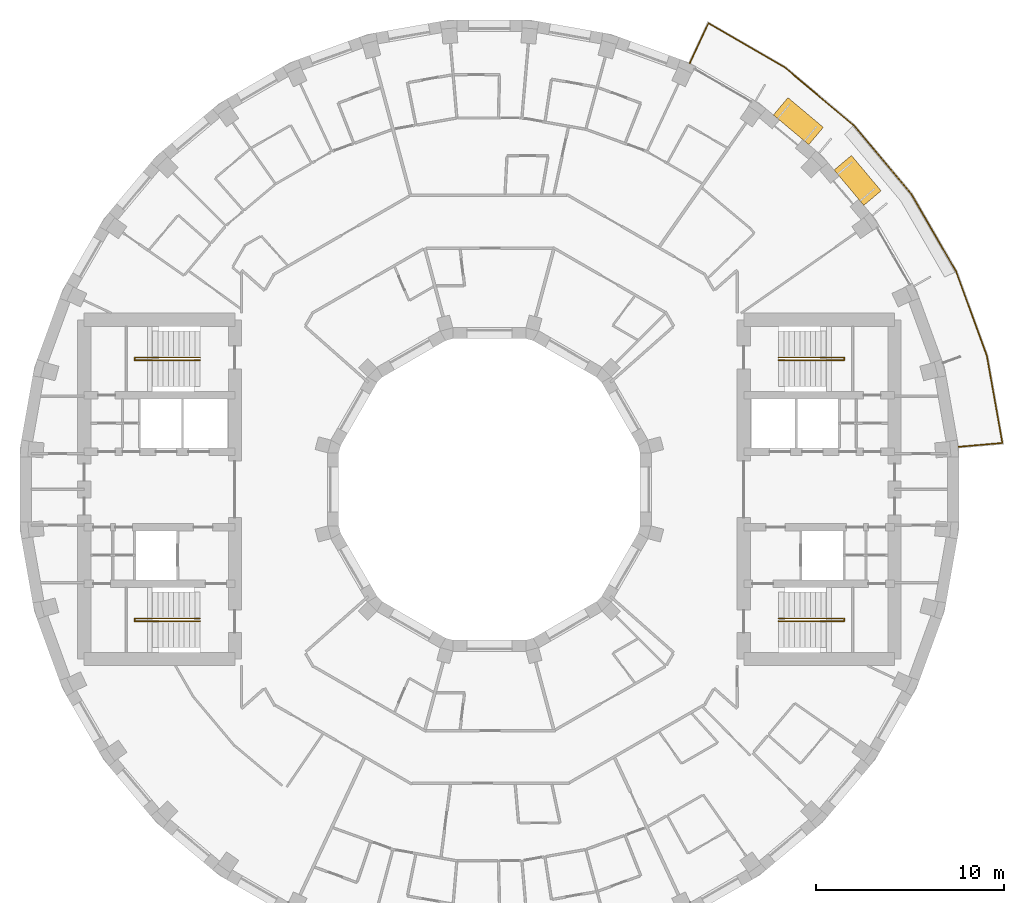
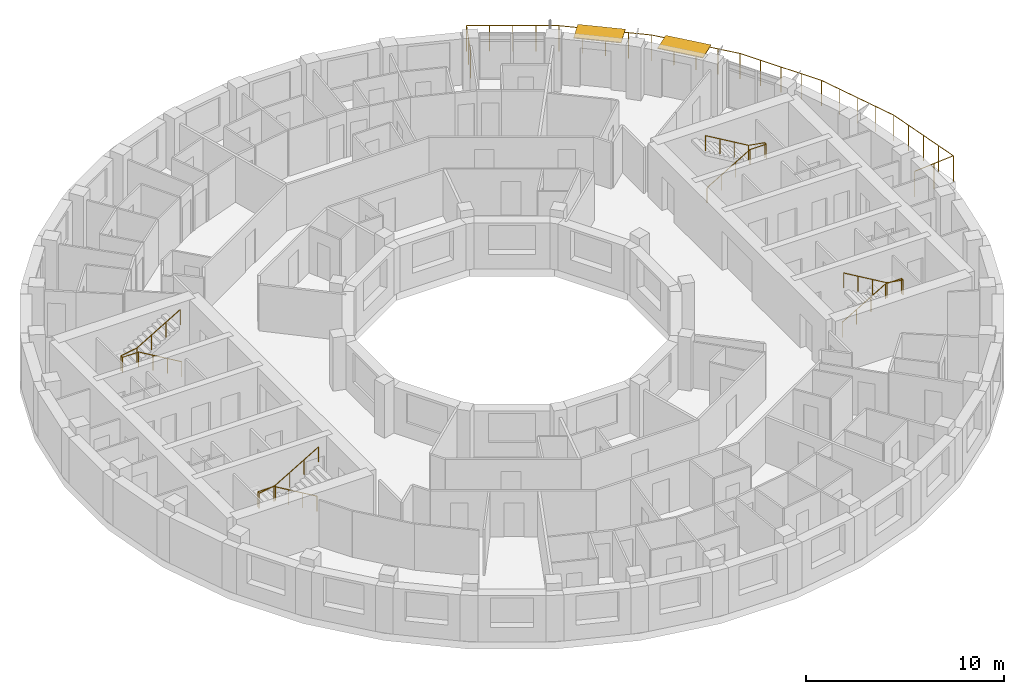
# One storey, part 15 of 15: 5 railings, 2 shading devices.
"""IFC4 building model written with IfcOpenShell, lengths in metres."""

from ifc_helpers import new_model, si_unit, direction, frame, origin, origin_2d, place, context, subcontext, project, spatial, rectangle, circle, extrude, material, layer, layer_set, type_object, element, save


model = new_model("IFC4")

# Units and contexts
model_context = context("Model", 3, precision=1e-05, world=origin(), true_north=direction((0.0, 1.0)))
body_context = subcontext(model_context, "Body", "Model", "MODEL_VIEW")
ifc_project = project(units=[si_unit("LENGTHUNIT", "METRE"), si_unit("AREAUNIT", "SQUARE_METRE"), si_unit("VOLUMEUNIT", "CUBIC_METRE"), si_unit("PLANEANGLEUNIT", "RADIAN"), si_unit("MASSUNIT", "GRAM", prefix="KILO")], contexts=[model_context])

# Site, building, storey
site_placement = place(None, origin())
site = spatial("IfcSite", under=ifc_project, at=site_placement, CompositionType="ELEMENT")
building_placement = place(site_placement, origin())
building = spatial("IfcBuilding", under=site, at=building_placement, Name="Saqina Gate Tower", CompositionType="ELEMENT")
storey_placement = place(building_placement, frame((0.0, 0.0, 193.800048828125)))
storey = spatial("IfcBuildingStorey", under=building, at=storey_placement, Name="L55", CompositionType="ELEMENT", Elevation=193.800048828125)

# Shading devices
ifc_material_1 = material(Name="Aluminium and fabric awning", Category="aluminium")
ifc_layer = layer(ifc_material_1, 0.050048828125)
ifc_layer_set = layer_set([ifc_layer], Name="AW-TERRACE")
shading_device_type = type_object("IfcShadingDeviceType", Name="AW-TERRACE", PredefinedType="AWNING", material=ifc_layer_set)
for number, where, z_axis, x_axis, name in (
    (1, (19.537841796875, 16.394287109375, 2.52490234375), (0.0, 0.0, 1.0), (-0.642787609687, 0.766044443119, 0.0), "Terrace awning L55 facet 4"),
    (2, (16.394287109375, 19.537841796875, 2.52490234375), (0.0, 0.0, 1.0), (-0.766044443119, 0.642787609687, 0.0), "Terrace awning L55 facet 5"),
):
    element("IfcShadingDevice", number, at=place(storey_placement, frame(where, z_axis=z_axis, x_axis=x_axis)), inside=storey, type_object=shading_device_type, Name=name, PredefinedType="AWNING", context=body_context, shape_type="SweptSolid", body=[
        extrude(rectangle(XDim=2.44970703125, YDim=1.199951171875, at=origin_2d()), origin(), (0.0, 0.0, 1.0), 0.050048828125),
    ])

# Railings
ifc_material_2 = material(Name="Stainless steel", Category="steel")
railing_type_1 = type_object("IfcRailingType", Name="RL-TERRACE", PredefinedType="GUARDRAIL", material=ifc_material_2)
railing_1_placement = place(storey_placement, frame((24.838134765625, 2.25341796875, 0.0)))
element("IfcRailing", 3, at=railing_1_placement, inside=storey, type_object=railing_type_1, Name="Terrace guard L55", PredefinedType="GUARDRAIL", context=body_context, shape_type="SweptSolid", body=[
    extrude(circle(Radius=0.02392578125, at=origin_2d()), frame((0.0, 0.0, 1.576171875), z_axis=(0.996193273779, 0.087172021187, 0.0), x_axis=(-0.087172021187, 0.996193273779, 0.0)), (0.0, 0.0, 1.0), 2.388916015625),
    extrude(circle(Radius=0.02392578125, at=origin_2d()), frame((2.3798828125, 0.208251953125, 1.576171875), z_axis=(-0.175132139837, 0.984544937317, 0.0), x_axis=(-0.984544937317, -0.175132139837, 0.0)), (0.0, 0.0, 1.0), 4.68408203125),
    extrude(circle(Radius=0.02392578125, at=origin_2d()), frame((1.5595703125, 4.81982421875, 1.576171875), z_axis=(-0.342031084868, 0.939688638318, 0.0), x_axis=(-0.939688638318, -0.342031084868, 0.0)), (0.0, 0.0, 1.0), 4.763916015625),
    extrude(circle(Radius=0.02392578125, at=origin_2d()), frame((-0.06982421875, 9.29638671875, 1.576171875), z_axis=(-0.499997507361, 0.866026842905, 0.0), x_axis=(-0.866026842905, -0.499997507361, 0.0)), (0.0, 0.0, 1.0), 4.763671875),
    extrude(circle(Radius=0.02392578125, at=origin_2d()), frame((-2.45166015625, 13.421875, 1.576171875), z_axis=(-0.642786942402, 0.766045003037, 0.0), x_axis=(-0.766045003037, -0.642786942402, 0.0)), (0.0, 0.0, 1.0), 4.763671875),
    extrude(circle(Radius=0.02392578125, at=origin_2d()), frame((-5.513671875, 17.071044921875, 1.576171875), z_axis=(-0.766045003037, 0.642786942402, 0.0), x_axis=(-0.642786942402, -0.766045003037, 0.0)), (0.0, 0.0, 1.0), 4.763671875),
    extrude(circle(Radius=0.02392578125, at=origin_2d()), frame((-9.162841796875, 20.133056640625, 1.576171875), z_axis=(-0.865270419555, 0.501305396981, 0.0), x_axis=(-0.501305396981, -0.865270419555, 0.0)), (0.0, 0.0, 1.0), 4.68408203125),
    extrude(circle(Radius=0.02392578125, at=origin_2d()), frame((-13.2158203125, 22.481201171875, 1.576171875), z_axis=(-0.422684046048, -0.906277108403, 0.0), x_axis=(0.906277108403, -0.422684046048, 0.0)), (0.0, 0.0, 1.0), 2.388916015625),
    extrude(circle(Radius=0.02099609375, at=origin_2d()), origin(), (0.0, 0.0, 1.0), 1.552001953125),
    extrude(circle(Radius=0.02099609375, at=origin_2d()), frame((1.18994140625, 0.10400390625, 0.0)), (0.0, 0.0, 1.0), 1.552001953125),
    extrude(circle(Radius=0.02099609375, at=origin_2d()), frame((2.3798828125, 0.208251953125, 0.0)), (0.0, 0.0, 1.0), 1.552001953125),
    extrude(circle(Radius=0.02099609375, at=origin_2d()), frame((2.1748046875, 1.361083984375, 0.0)), (0.0, 0.0, 1.0), 1.552001953125),
    extrude(circle(Radius=0.02099609375, at=origin_2d()), frame((1.9697265625, 2.51416015625, 0.0)), (0.0, 0.0, 1.0), 1.552001953125),
    extrude(circle(Radius=0.02099609375, at=origin_2d()), frame((1.7646484375, 3.6669921875, 0.0)), (0.0, 0.0, 1.0), 1.552001953125),
    extrude(circle(Radius=0.02099609375, at=origin_2d()), frame((1.5595703125, 4.81982421875, 0.0)), (0.0, 0.0, 1.0), 1.552001953125),
    extrude(circle(Radius=0.02099609375, at=origin_2d()), frame((1.15234375, 5.93896484375, 0.0)), (0.0, 0.0, 1.0), 1.552001953125),
    extrude(circle(Radius=0.02099609375, at=origin_2d()), frame((0.744873046875, 7.05810546875, 0.0)), (0.0, 0.0, 1.0), 1.552001953125),
    extrude(circle(Radius=0.02099609375, at=origin_2d()), frame((0.33740234375, 8.17724609375, 0.0)), (0.0, 0.0, 1.0), 1.552001953125),
    extrude(circle(Radius=0.02099609375, at=origin_2d()), frame((-0.06982421875, 9.29638671875, 0.0)), (0.0, 0.0, 1.0), 1.552001953125),
    extrude(circle(Radius=0.02099609375, at=origin_2d()), frame((-0.665283203125, 10.32763671875, 0.0)), (0.0, 0.0, 1.0), 1.552001953125),
    extrude(circle(Radius=0.02099609375, at=origin_2d()), frame((-1.2607421875, 11.359130859375, 0.0)), (0.0, 0.0, 1.0), 1.552001953125),
    extrude(circle(Radius=0.02099609375, at=origin_2d()), frame((-1.856201171875, 12.390625, 0.0)), (0.0, 0.0, 1.0), 1.552001953125),
    extrude(circle(Radius=0.02099609375, at=origin_2d()), frame((-2.45166015625, 13.421875, 0.0)), (0.0, 0.0, 1.0), 1.552001953125),
    extrude(circle(Radius=0.02099609375, at=origin_2d()), frame((-3.21728515625, 14.334228515625, 0.0)), (0.0, 0.0, 1.0), 1.552001953125),
    extrude(circle(Radius=0.02099609375, at=origin_2d()), frame((-3.982666015625, 15.24658203125, 0.0)), (0.0, 0.0, 1.0), 1.552001953125),
    extrude(circle(Radius=0.02099609375, at=origin_2d()), frame((-4.748046875, 16.15869140625, 0.0)), (0.0, 0.0, 1.0), 1.552001953125),
    extrude(circle(Radius=0.02099609375, at=origin_2d()), frame((-5.513671875, 17.071044921875, 0.0)), (0.0, 0.0, 1.0), 1.552001953125),
    extrude(circle(Radius=0.02099609375, at=origin_2d()), frame((-6.426025390625, 17.83642578125, 0.0)), (0.0, 0.0, 1.0), 1.552001953125),
    extrude(circle(Radius=0.02099609375, at=origin_2d()), frame((-7.33837890625, 18.60205078125, 0.0)), (0.0, 0.0, 1.0), 1.552001953125),
    extrude(circle(Radius=0.02099609375, at=origin_2d()), frame((-8.25048828125, 19.36767578125, 0.0)), (0.0, 0.0, 1.0), 1.552001953125),
    extrude(circle(Radius=0.02099609375, at=origin_2d()), frame((-9.162841796875, 20.133056640625, 0.0)), (0.0, 0.0, 1.0), 1.552001953125),
    extrude(circle(Radius=0.02099609375, at=origin_2d()), frame((-10.176025390625, 20.72021484375, 0.0)), (0.0, 0.0, 1.0), 1.552001953125),
    extrude(circle(Radius=0.02099609375, at=origin_2d()), frame((-11.189453125, 21.30712890625, 0.0)), (0.0, 0.0, 1.0), 1.552001953125),
    extrude(circle(Radius=0.02099609375, at=origin_2d()), frame((-12.20263671875, 21.89404296875, 0.0)), (0.0, 0.0, 1.0), 1.552001953125),
    extrude(circle(Radius=0.02099609375, at=origin_2d()), frame((-13.2158203125, 22.481201171875, 0.0)), (0.0, 0.0, 1.0), 1.552001953125),
    extrude(circle(Radius=0.02099609375, at=origin_2d()), frame((-13.720703125, 21.398681640625, 0.0)), (0.0, 0.0, 1.0), 1.552001953125),
    extrude(circle(Radius=0.02099609375, at=origin_2d()), frame((-14.2255859375, 20.316162109375, 0.0)), (0.0, 0.0, 1.0), 1.552001953125),
])
ifc_material_3 = material(Name="Stainless steel", Category="steel")
railing_type_2 = type_object("IfcRailingType", Name="STAIR HANDRAIL", PredefinedType="HANDRAIL", material=ifc_material_3)
railing_2_placement = place(storey_placement, frame((15.35009765625, 6.85009765625, 0.1650390625)))
element("IfcRailing", 4, at=railing_2_placement, inside=storey, type_object=railing_type_2, Name="EXIT STAIR 1 HANDRAIL", PredefinedType="HANDRAIL", context=body_context, shape_type="SweptSolid", body=[
    extrude(circle(Radius=0.02392578125, at=origin_2d()), frame((0.0, 0.0, 0.92578125), z_axis=(0.861560626758, 0.0, 0.507654692109), x_axis=(0.0, 1.0, 0.0)), (0.0, 0.0, 1.0), 2.925048828125),
    extrude(circle(Radius=0.02392578125, at=origin_2d()), frame((2.52001953125, 0.0, 2.41064453125), z_axis=(1.0, 0.0, 0.0), x_axis=(0.0, 1.0, 0.0)), (0.0, 0.0, 1.0), 0.949951171875),
    extrude(circle(Radius=0.02392578125, at=origin_2d()), frame((3.469970703125, 0.0, 2.41064453125), z_axis=(0.0, 1.0, 0.0), x_axis=(-1.0, 0.0, 0.0)), (0.0, 0.0, 1.0), 0.14990234375),
    extrude(circle(Radius=0.02392578125, at=origin_2d()), frame((3.469970703125, 0.14990234375, 2.41064453125), z_axis=(-0.985241474778, 0.0, 0.171170197109), x_axis=(0.0, -1.0, 0.0)), (0.0, 0.0, 1.0), 0.964111328125),
    extrude(circle(Radius=0.02392578125, at=origin_2d()), frame((2.52001953125, 0.14990234375, 2.57568359375), z_axis=(-0.86152411907, 0.0, 0.507716645641), x_axis=(0.0, -1.0, 0.0)), (0.0, 0.0, 1.0), 2.925048828125),
    extrude(circle(Radius=0.02099609375, at=origin_2d()), origin(), (0.0, 0.0, 1.0), 0.90185546875),
    extrude(circle(Radius=0.02099609375, at=origin_2d()), frame((0.840087890625, 0.0, 0.494873046875)), (0.0, 0.0, 1.0), 0.90185546875),
    extrude(circle(Radius=0.02099609375, at=origin_2d()), frame((1.679931640625, 0.0, 0.989990234375)), (0.0, 0.0, 1.0), 0.90185546875),
    extrude(circle(Radius=0.02099609375, at=origin_2d()), frame((2.52001953125, 0.0, 1.48486328125)), (0.0, 0.0, 1.0), 0.90185546875),
    extrude(circle(Radius=0.02099609375, at=origin_2d()), frame((3.469970703125, 0.0, 1.48486328125)), (0.0, 0.0, 1.0), 0.90185546875),
    extrude(circle(Radius=0.02099609375, at=origin_2d()), frame((3.469970703125, 0.14990234375, 1.48486328125)), (0.0, 0.0, 1.0), 0.90185546875),
    extrude(circle(Radius=0.02099609375, at=origin_2d()), frame((2.52001953125, 0.14990234375, 1.64990234375)), (0.0, 0.0, 1.0), 0.90185546875),
    extrude(circle(Radius=0.02099609375, at=origin_2d()), frame((1.679931640625, 0.14990234375, 2.14501953125)), (0.0, 0.0, 1.0), 0.90185546875),
    extrude(circle(Radius=0.02099609375, at=origin_2d()), frame((0.840087890625, 0.14990234375, 2.639892578125)), (0.0, 0.0, 1.0), 0.90185546875),
    extrude(circle(Radius=0.02099609375, at=origin_2d()), frame((0.0, 0.14990234375, 3.135009765625)), (0.0, 0.0, 1.0), 0.90185546875),
])
railing_3_placement = place(storey_placement, frame((15.35009765625, -6.85009765625, 0.1650390625)))
element("IfcRailing", 5, at=railing_3_placement, inside=storey, type_object=railing_type_2, Name="EXIT STAIR 2 HANDRAIL", PredefinedType="HANDRAIL", context=body_context, shape_type="SweptSolid", body=[
    extrude(circle(Radius=0.02392578125, at=origin_2d()), frame((0.0, 0.0, 0.92578125), z_axis=(0.861560626758, 0.0, 0.507654692109), x_axis=(0.0, 1.0, 0.0)), (0.0, 0.0, 1.0), 2.925048828125),
    extrude(circle(Radius=0.02392578125, at=origin_2d()), frame((2.52001953125, 0.0, 2.41064453125), z_axis=(1.0, 0.0, 0.0), x_axis=(0.0, 1.0, 0.0)), (0.0, 0.0, 1.0), 0.949951171875),
    extrude(circle(Radius=0.02392578125, at=origin_2d()), frame((3.469970703125, 0.0, 2.41064453125), z_axis=(0.0, -1.0, 0.0), x_axis=(1.0, 0.0, 0.0)), (0.0, 0.0, 1.0), 0.14990234375),
    extrude(circle(Radius=0.02392578125, at=origin_2d()), frame((3.469970703125, -0.14990234375, 2.41064453125), z_axis=(-0.985241474778, 0.0, 0.171170197109), x_axis=(0.0, -1.0, 0.0)), (0.0, 0.0, 1.0), 0.964111328125),
    extrude(circle(Radius=0.02392578125, at=origin_2d()), frame((2.52001953125, -0.14990234375, 2.57568359375), z_axis=(-0.86152411907, 0.0, 0.507716645641), x_axis=(0.0, -1.0, 0.0)), (0.0, 0.0, 1.0), 2.925048828125),
    extrude(circle(Radius=0.02099609375, at=origin_2d()), origin(), (0.0, 0.0, 1.0), 0.90185546875),
    extrude(circle(Radius=0.02099609375, at=origin_2d()), frame((0.840087890625, 0.0, 0.494873046875)), (0.0, 0.0, 1.0), 0.90185546875),
    extrude(circle(Radius=0.02099609375, at=origin_2d()), frame((1.679931640625, 0.0, 0.989990234375)), (0.0, 0.0, 1.0), 0.90185546875),
    extrude(circle(Radius=0.02099609375, at=origin_2d()), frame((2.52001953125, 0.0, 1.48486328125)), (0.0, 0.0, 1.0), 0.90185546875),
    extrude(circle(Radius=0.02099609375, at=origin_2d()), frame((3.469970703125, 0.0, 1.48486328125)), (0.0, 0.0, 1.0), 0.90185546875),
    extrude(circle(Radius=0.02099609375, at=origin_2d()), frame((3.469970703125, -0.14990234375, 1.48486328125)), (0.0, 0.0, 1.0), 0.90185546875),
    extrude(circle(Radius=0.02099609375, at=origin_2d()), frame((2.52001953125, -0.14990234375, 1.64990234375)), (0.0, 0.0, 1.0), 0.90185546875),
    extrude(circle(Radius=0.02099609375, at=origin_2d()), frame((1.679931640625, -0.14990234375, 2.14501953125)), (0.0, 0.0, 1.0), 0.90185546875),
    extrude(circle(Radius=0.02099609375, at=origin_2d()), frame((0.840087890625, -0.14990234375, 2.639892578125)), (0.0, 0.0, 1.0), 0.90185546875),
    extrude(circle(Radius=0.02099609375, at=origin_2d()), frame((0.0, -0.14990234375, 3.135009765625)), (0.0, 0.0, 1.0), 0.90185546875),
])
railing_4_placement = place(storey_placement, frame((-15.35009765625, 6.85009765625, 0.1650390625)))
element("IfcRailing", 6, at=railing_4_placement, inside=storey, type_object=railing_type_2, Name="EXIT STAIR 3 HANDRAIL", PredefinedType="HANDRAIL", context=body_context, shape_type="SweptSolid", body=[
    extrude(circle(Radius=0.02392578125, at=origin_2d()), frame((0.0, 0.0, 0.92578125), z_axis=(-0.861560626758, 0.0, 0.507654692109), x_axis=(0.0, -1.0, 0.0)), (0.0, 0.0, 1.0), 2.925048828125),
    extrude(circle(Radius=0.02392578125, at=origin_2d()), frame((-2.52001953125, 0.0, 2.41064453125), z_axis=(-1.0, 0.0, 0.0), x_axis=(0.0, -1.0, 0.0)), (0.0, 0.0, 1.0), 0.949951171875),
    extrude(circle(Radius=0.02392578125, at=origin_2d()), frame((-3.469970703125, 0.0, 2.41064453125), z_axis=(0.0, 1.0, 0.0), x_axis=(-1.0, 0.0, 0.0)), (0.0, 0.0, 1.0), 0.14990234375),
    extrude(circle(Radius=0.02392578125, at=origin_2d()), frame((-3.469970703125, 0.14990234375, 2.41064453125), z_axis=(0.985241474778, 0.0, 0.171170197109), x_axis=(0.0, 1.0, 0.0)), (0.0, 0.0, 1.0), 0.964111328125),
    extrude(circle(Radius=0.02392578125, at=origin_2d()), frame((-2.52001953125, 0.14990234375, 2.57568359375), z_axis=(0.86152411907, 0.0, 0.507716645641), x_axis=(0.0, 1.0, 0.0)), (0.0, 0.0, 1.0), 2.925048828125),
    extrude(circle(Radius=0.02099609375, at=origin_2d()), origin(), (0.0, 0.0, 1.0), 0.90185546875),
    extrude(circle(Radius=0.02099609375, at=origin_2d()), frame((-0.840087890625, 0.0, 0.494873046875)), (0.0, 0.0, 1.0), 0.90185546875),
    extrude(circle(Radius=0.02099609375, at=origin_2d()), frame((-1.679931640625, 0.0, 0.989990234375)), (0.0, 0.0, 1.0), 0.90185546875),
    extrude(circle(Radius=0.02099609375, at=origin_2d()), frame((-2.52001953125, 0.0, 1.48486328125)), (0.0, 0.0, 1.0), 0.90185546875),
    extrude(circle(Radius=0.02099609375, at=origin_2d()), frame((-3.469970703125, 0.0, 1.48486328125)), (0.0, 0.0, 1.0), 0.90185546875),
    extrude(circle(Radius=0.02099609375, at=origin_2d()), frame((-3.469970703125, 0.14990234375, 1.48486328125)), (0.0, 0.0, 1.0), 0.90185546875),
    extrude(circle(Radius=0.02099609375, at=origin_2d()), frame((-2.52001953125, 0.14990234375, 1.64990234375)), (0.0, 0.0, 1.0), 0.90185546875),
    extrude(circle(Radius=0.02099609375, at=origin_2d()), frame((-1.679931640625, 0.14990234375, 2.14501953125)), (0.0, 0.0, 1.0), 0.90185546875),
    extrude(circle(Radius=0.02099609375, at=origin_2d()), frame((-0.840087890625, 0.14990234375, 2.639892578125)), (0.0, 0.0, 1.0), 0.90185546875),
    extrude(circle(Radius=0.02099609375, at=origin_2d()), frame((0.0, 0.14990234375, 3.135009765625)), (0.0, 0.0, 1.0), 0.90185546875),
])
railing_5_placement = place(storey_placement, frame((-15.35009765625, -6.85009765625, 0.1650390625)))
element("IfcRailing", 7, at=railing_5_placement, inside=storey, type_object=railing_type_2, Name="EXIT STAIR 4 HANDRAIL", PredefinedType="HANDRAIL", context=body_context, shape_type="SweptSolid", body=[
    extrude(circle(Radius=0.02392578125, at=origin_2d()), frame((0.0, 0.0, 0.92578125), z_axis=(-0.861560626758, 0.0, 0.507654692109), x_axis=(0.0, -1.0, 0.0)), (0.0, 0.0, 1.0), 2.925048828125),
    extrude(circle(Radius=0.02392578125, at=origin_2d()), frame((-2.52001953125, 0.0, 2.41064453125), z_axis=(-1.0, 0.0, 0.0), x_axis=(0.0, -1.0, 0.0)), (0.0, 0.0, 1.0), 0.949951171875),
    extrude(circle(Radius=0.02392578125, at=origin_2d()), frame((-3.469970703125, 0.0, 2.41064453125), z_axis=(0.0, -1.0, 0.0), x_axis=(1.0, 0.0, 0.0)), (0.0, 0.0, 1.0), 0.14990234375),
    extrude(circle(Radius=0.02392578125, at=origin_2d()), frame((-3.469970703125, -0.14990234375, 2.41064453125), z_axis=(0.985241474778, 0.0, 0.171170197109), x_axis=(0.0, 1.0, 0.0)), (0.0, 0.0, 1.0), 0.964111328125),
    extrude(circle(Radius=0.02392578125, at=origin_2d()), frame((-2.52001953125, -0.14990234375, 2.57568359375), z_axis=(0.86152411907, 0.0, 0.507716645641), x_axis=(0.0, 1.0, 0.0)), (0.0, 0.0, 1.0), 2.925048828125),
    extrude(circle(Radius=0.02099609375, at=origin_2d()), origin(), (0.0, 0.0, 1.0), 0.90185546875),
    extrude(circle(Radius=0.02099609375, at=origin_2d()), frame((-0.840087890625, 0.0, 0.494873046875)), (0.0, 0.0, 1.0), 0.90185546875),
    extrude(circle(Radius=0.02099609375, at=origin_2d()), frame((-1.679931640625, 0.0, 0.989990234375)), (0.0, 0.0, 1.0), 0.90185546875),
    extrude(circle(Radius=0.02099609375, at=origin_2d()), frame((-2.52001953125, 0.0, 1.48486328125)), (0.0, 0.0, 1.0), 0.90185546875),
    extrude(circle(Radius=0.02099609375, at=origin_2d()), frame((-3.469970703125, 0.0, 1.48486328125)), (0.0, 0.0, 1.0), 0.90185546875),
    extrude(circle(Radius=0.02099609375, at=origin_2d()), frame((-3.469970703125, -0.14990234375, 1.48486328125)), (0.0, 0.0, 1.0), 0.90185546875),
    extrude(circle(Radius=0.02099609375, at=origin_2d()), frame((-2.52001953125, -0.14990234375, 1.64990234375)), (0.0, 0.0, 1.0), 0.90185546875),
    extrude(circle(Radius=0.02099609375, at=origin_2d()), frame((-1.679931640625, -0.14990234375, 2.14501953125)), (0.0, 0.0, 1.0), 0.90185546875),
    extrude(circle(Radius=0.02099609375, at=origin_2d()), frame((-0.840087890625, -0.14990234375, 2.639892578125)), (0.0, 0.0, 1.0), 0.90185546875),
    extrude(circle(Radius=0.02099609375, at=origin_2d()), frame((0.0, -0.14990234375, 3.135009765625)), (0.0, 0.0, 1.0), 0.90185546875),
])

save(model, "model.ifc")
